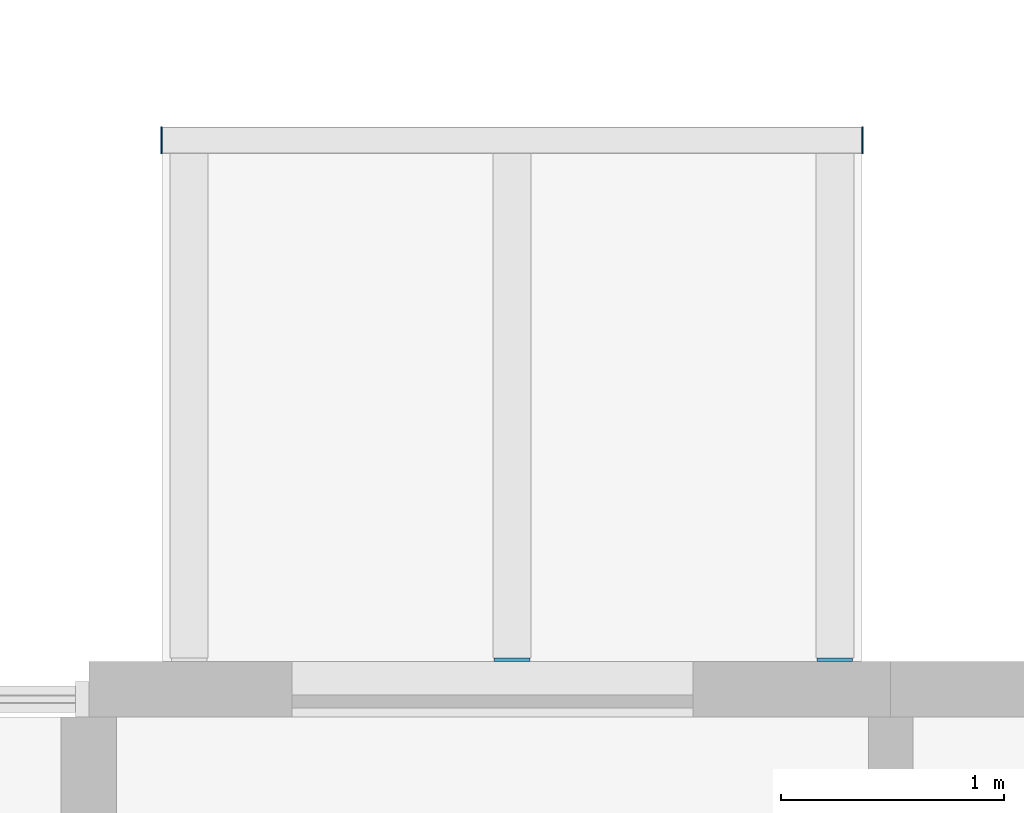
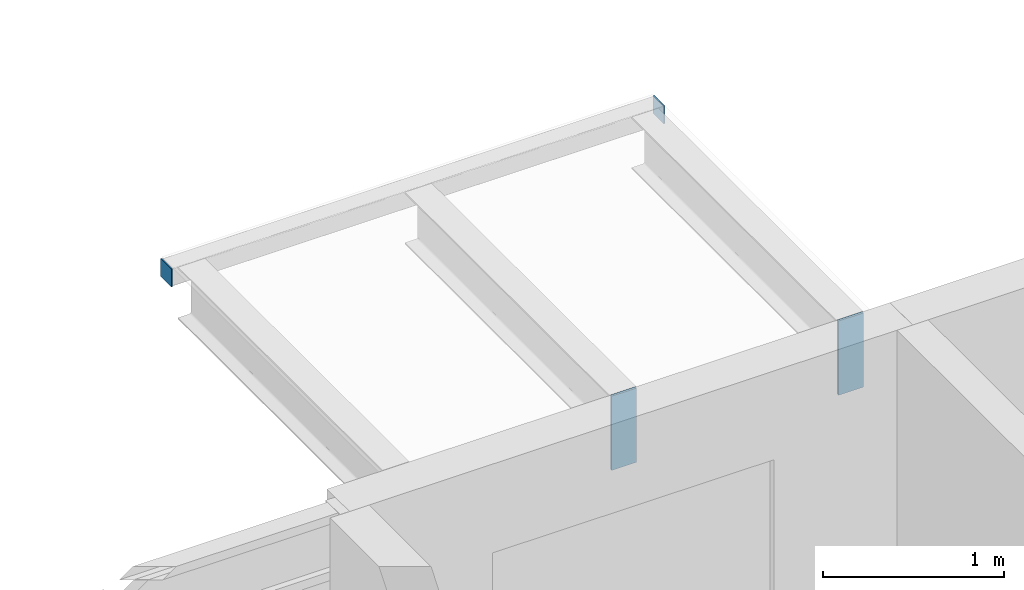
# One storey, part 72 of 94: 4 discrete accessories.
"""IFC4 building model written with IfcOpenShell, lengths in metres."""

from ifc_helpers import new_model, si_unit, direction, frame, origin, origin_2d, place, context, subcontext, project, spatial, rectangle, extrude, material, layer, layer_set, type_object, element, save


model = new_model("IFC4")

# Units and contexts
model_context = context("Model", 3, precision=1e-05, world=origin(), true_north=direction((0.0, 1.0)))
body_context = subcontext(model_context, "Body", "Model", "MODEL_VIEW")
ifc_project = project(units=[si_unit("LENGTHUNIT", "METRE"), si_unit("AREAUNIT", "SQUARE_METRE"), si_unit("VOLUMEUNIT", "CUBIC_METRE"), si_unit("PLANEANGLEUNIT", "RADIAN"), si_unit("MASSUNIT", "GRAM", prefix="KILO")], contexts=[model_context])

# Site, building, storey
site_placement = place(None, origin())
site = spatial("IfcSite", under=ifc_project, at=site_placement, CompositionType="ELEMENT")
building_placement = place(site_placement, origin())
building = spatial("IfcBuilding", under=site, at=building_placement, Name="Ridgestep Commons", CompositionType="ELEMENT")
storey_placement = place(building_placement, frame((0.0, 0.0, 24.0)))
storey = spatial("IfcBuildingStorey", under=building, at=storey_placement, Name="L08", CompositionType="ELEMENT", Elevation=24.0)

# Discrete accessories
ifc_material_1 = material(Name="Weathering steel S355J2W", Category="steel")
ifc_layer_1 = layer(ifc_material_1, 0.014892578125)
ifc_layer_set_1 = layer_set([ifc_layer_1], Name="Tray bracket plate 15")
discrete_accessory_type_1 = type_object("IfcDiscreteAccessoryType", Name="Tray bracket plate 15", PredefinedType="BRACKET", material=ifc_layer_set_1)
for number, where, z_axis, x_axis, name in (
    (1, (238.699951171875, 23.007568359375, 2.488525390625), (0.0, 0.0, 1.0), (1.0, 0.0, 0.0), "Tray bracket D6T3-09.2"),
    (2, (240.14990234375, 23.007568359375, 2.488525390625), (0.0, 0.0, 1.0), (1.0, 0.0, 0.0), "Tray bracket D6T3-09.3"),
):
    element("IfcDiscreteAccessory", number, at=place(storey_placement, frame(where, z_axis=z_axis, x_axis=x_axis)), inside=storey, type_object=discrete_accessory_type_1, Name=name, PredefinedType="BRACKET", context=body_context, shape_type="SweptSolid", body=[
        extrude(rectangle(XDim=0.159912109375, YDim=0.014892578125, at=origin_2d()), origin(), (0.0, 0.0, 1.0), 0.50146484375),
    ])
ifc_material_2 = material(Name="Weathering steel S355J2W", Category="steel")
ifc_layer_2 = layer(ifc_material_2, 0.008056640625)
ifc_layer_set_2 = layer_set([ifc_layer_2], Name="Tray edge member end plate 120 x 120 x 8")
discrete_accessory_type_2 = type_object("IfcDiscreteAccessoryType", Name="Tray edge member end plate 120 x 120 x 8", PredefinedType="BRACKET", material=ifc_layer_set_2)
for number, where, z_axis, x_axis, name in (
    (3, (237.1259765625, 25.340087890625, 2.869873046875), (0.0, 0.0, 1.0), (1.0, 0.0, 0.0), "Tray edge member end plate D6T3-09 west"),
    (4, (240.27392578125, 25.340087890625, 2.869873046875), (0.0, 0.0, 1.0), (1.0, 0.0, 0.0), "Tray edge member end plate D6T3-09 east"),
):
    element("IfcDiscreteAccessory", number, at=place(storey_placement, frame(where, z_axis=z_axis, x_axis=x_axis)), inside=storey, type_object=discrete_accessory_type_2, Name=name, PredefinedType="BRACKET", context=body_context, shape_type="SweptSolid", body=[
        extrude(rectangle(XDim=0.008056640625, YDim=0.1201171875, at=origin_2d()), origin(), (0.0, 0.0, 1.0), 0.1201171875),
    ])

save(model, "model.ifc")
